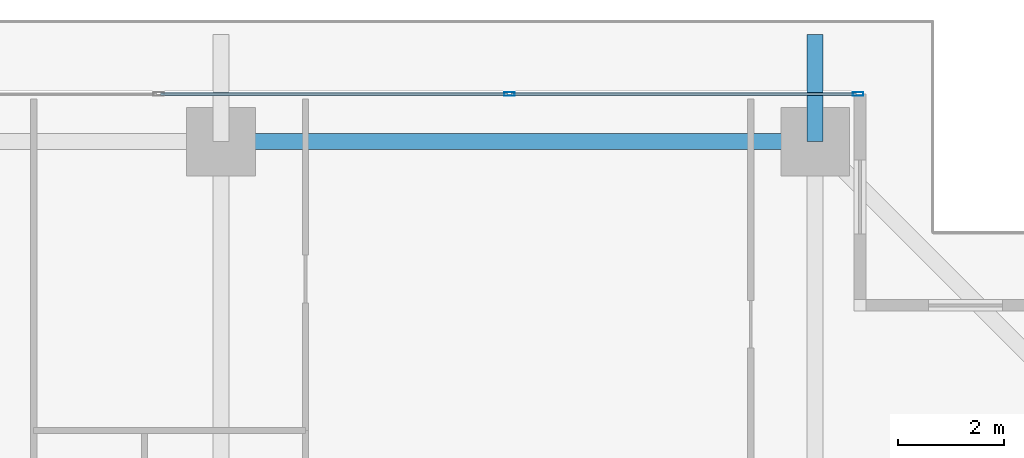
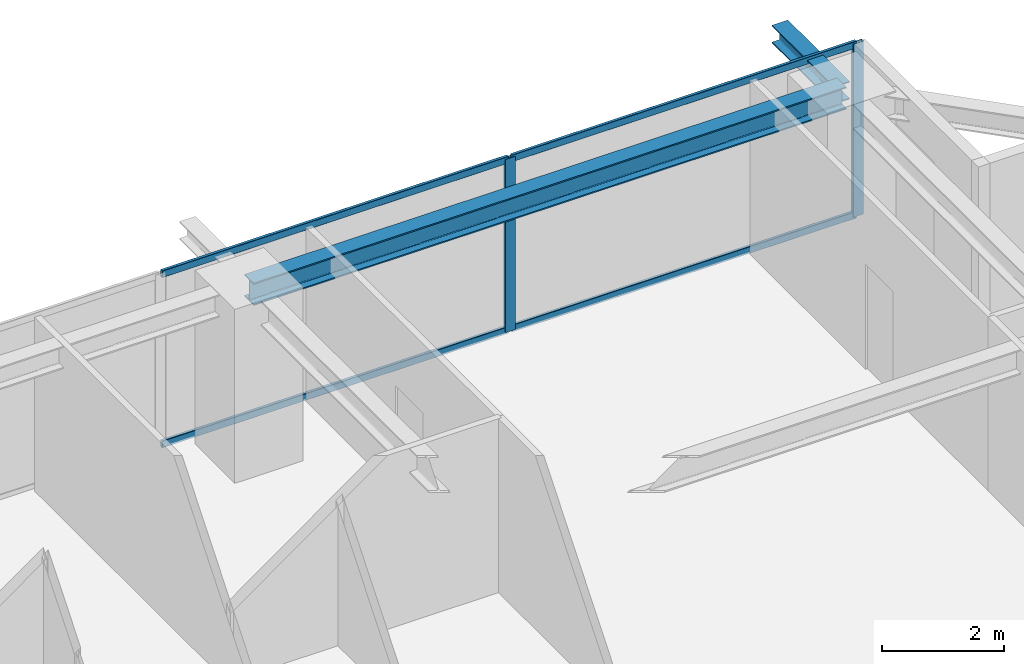
# One storey, part 22 of 34: 6 members, 2 beams, 1 element without a shape of its own.
"""IFC4 building model written with IfcOpenShell, lengths in metres."""

from ifc_helpers import new_model, si_unit, direction, frame, origin, origin_2d, place, context, subcontext, project, spatial, hollow_rectangle, i_section, extrude, source, transform, mapped, material, layer, layer_set, material_profile, profile_set, type_object, element, aggregate, save


model = new_model("IFC4")

# Units and contexts
model_context = context("Model", 3, precision=1e-05, world=origin(), true_north=direction((0.0, 1.0)))
body_context = subcontext(model_context, "Body", "Model", "MODEL_VIEW")
ifc_project = project(units=[si_unit("LENGTHUNIT", "METRE"), si_unit("AREAUNIT", "SQUARE_METRE"), si_unit("VOLUMEUNIT", "CUBIC_METRE"), si_unit("PLANEANGLEUNIT", "RADIAN"), si_unit("MASSUNIT", "GRAM", prefix="KILO")], contexts=[model_context])

# Site, building, storey
site_placement = place(None, origin())
site = spatial("IfcSite", under=ifc_project, at=site_placement, CompositionType="ELEMENT")
building_placement = place(site_placement, origin())
building = spatial("IfcBuilding", under=site, at=building_placement, Name="Serunith Strait Residences", CompositionType="ELEMENT")
storey_placement = place(building_placement, frame((0.0, 0.0, 142.64990234375)))
storey = spatial("IfcBuildingStorey", under=building, at=storey_placement, Name="L35", CompositionType="ELEMENT", Elevation=142.64990234375)

# Beams
ifc_material_1 = material(Name="Steel S355J2", Category="steel")
ifc_material_profile_1 = material_profile(ifc_material_1, i_section(OverallWidth=0.300048828125, OverallDepth=0.449951171875, WebThickness=0.013916015625, FlangeThickness=0.02587890625, FilletRadius=0.027099609375, at=origin_2d()), Name="HEB 450")
ifc_profile_set_1 = profile_set([ifc_material_profile_1], Name="Steel S355J2")
beam_type_1 = type_object("IfcBeamType", Name="BM-HEB450", PredefinedType="BEAM", material=ifc_profile_set_1)
shared_shape_1 = source(origin(), body_context, "Body", "SweptSolid", [
    extrude(i_section(OverallWidth=0.300048828125, OverallDepth=0.449951171875, WebThickness=0.013916015625, FlangeThickness=0.02587890625, FilletRadius=0.027099609375, at=origin_2d()), origin(), (0.0, 0.0, 1.0), 11.25),
])
beam_1_placement = place(storey_placement, frame((48.14990234375, 48.10009765625, 3.26220703125), z_axis=(-1.0, 0.0, 0.0), x_axis=(0.0, -1.0, 0.0)))
element("IfcBeam", 1, at=beam_1_placement, inside=storey, type_object=beam_type_1, Name="L35 Perimeter Ring Beam 09", PredefinedType="BEAM", context=body_context, shape_type="MappedRepresentation", body=[
    mapped(shared_shape_1, transform((0.0, 0.0, 0.0), scale=1.0)),
])
ifc_material_profile_2 = material_profile(ifc_material_1, i_section(OverallWidth=0.300048828125, OverallDepth=0.360107421875, WebThickness=0.012451171875, FlangeThickness=0.0224609375, FilletRadius=0.027099609375, at=origin_2d()), Name="HEB 360")
ifc_profile_set_2 = profile_set([ifc_material_profile_2], Name="Steel S355J2")
beam_type_2 = type_object("IfcBeamType", Name="BM-HEB360", PredefinedType="BEAM", material=ifc_profile_set_2)
shared_shape_2 = source(origin(), body_context, "Body", "SweptSolid", [
    extrude(i_section(OverallWidth=0.300048828125, OverallDepth=0.360107421875, WebThickness=0.012451171875, FlangeThickness=0.0224609375, FilletRadius=0.027099609375, at=origin_2d()), origin(), (0.0, 0.0, 1.0), 2.02978515625),
])
beam_2_placement = place(storey_placement, frame((48.14990234375, 48.10009765625, 3.277099609375), z_axis=(0.0, 1.0, 0.0), x_axis=(-1.0, 0.0, 0.0)))
element("IfcBeam", 2, at=beam_2_placement, inside=storey, type_object=beam_type_2, Name="L36 Cantilevered Balcony Rib TC-N4", PredefinedType="BEAM", context=body_context, shape_type="MappedRepresentation", body=[
    mapped(shared_shape_2, transform((0.0, 0.0, 0.0), scale=1.0)),
])

# Curtain wall, members
ifc_material_2 = material(Name="Pale-Champagne Anodised Aluminium", Category="aluminium")
ifc_layer = layer(ifc_material_2, 0.199951171875, Name="Pale-Champagne Anodised Aluminium")
ifc_layer_set = layer_set([ifc_layer], Name="Pale-Champagne Anodised Aluminium")
curtain_wall_type = type_object("IfcCurtainWallType", Name="CW-SYS2", PredefinedType="NOTDEFINED", material=ifc_layer_set)
curtain_wall_placement = place(storey_placement, origin())
curtain_wall = element("IfcCurtainWall", 3, at=curtain_wall_placement, inside=storey, type_object=curtain_wall_type, Name="L35 N Unitised Fritted Curtain Wall", PredefinedType="NOTDEFINED")
ifc_material_profile_3 = material_profile(ifc_material_2, hollow_rectangle(XDim=0.070068359375, YDim=0.199951171875, WallThickness=0.00390625, InnerFilletRadius=0.006103515625, OuterFilletRadius=0.010009765625, at=origin_2d()), Name="ALU 200x70x4")
ifc_profile_set_3 = profile_set([ifc_material_profile_3], Name="Pale-Champagne Anodised Aluminium")
member_type_1 = type_object("IfcMemberType", Name="CW-SYS2-MULL", PredefinedType="MULLION", material=ifc_profile_set_3)
shared_shape_3 = source(origin(), body_context, "Body", "SweptSolid", [
    extrude(hollow_rectangle(XDim=0.070068359375, YDim=0.199951171875, WallThickness=0.00390625, InnerFilletRadius=0.006103515625, OuterFilletRadius=0.010009765625, at=origin_2d()), origin(), (0.0, 0.0, 1.0), 3.47509765625),
])
member_1_placement = place(storey_placement, frame((48.965087890625, 49.0, 0.0), z_axis=(0.0, 0.0, 1.0), x_axis=(0.0, -1.0, 0.0)))
member_1 = element("IfcMember", 4, at=member_1_placement, type_object=member_type_1, Name="CW-2 mullion 1", PredefinedType="MULLION", context=body_context, shape_type="MappedRepresentation", body=[
    mapped(shared_shape_3, transform((0.0, 0.0, 0.0), scale=1.0)),
])
member_2_placement = place(storey_placement, frame((42.360107421875, 49.0, 0.0), z_axis=(0.0, 0.0, 1.0), x_axis=(0.0, -1.0, 0.0)))
member_2 = element("IfcMember", 5, at=member_2_placement, type_object=member_type_1, Name="CW-2 mullion 2", PredefinedType="MULLION", context=body_context, shape_type="MappedRepresentation", body=[
    mapped(shared_shape_3, transform((0.0, 0.0, 0.0), scale=1.0)),
])
ifc_material_profile_4 = material_profile(ifc_material_2, hollow_rectangle(XDim=0.06005859375, YDim=0.139892578125, WallThickness=0.00341796875, InnerFilletRadius=0.00537109375, OuterFilletRadius=0.0087890625, at=origin_2d()), Name="ALU 140x60x3.5")
ifc_profile_set_4 = profile_set([ifc_material_profile_4], Name="Pale-Champagne Anodised Aluminium")
member_type_2 = type_object("IfcMemberType", Name="CW-SYS2-TRAN", PredefinedType="USERDEFINED", material=ifc_profile_set_4)
shared_shape_4 = source(origin(), body_context, "Body", "SweptSolid", [
    extrude(hollow_rectangle(XDim=0.06005859375, YDim=0.139892578125, WallThickness=0.00341796875, InnerFilletRadius=0.00537109375, OuterFilletRadius=0.0087890625, at=origin_2d()), origin(), (0.0, 0.0, 1.0), 6.534912109375),
])
member_3_placement = place(storey_placement, frame((48.929931640625, 49.0, 0.030029296875), z_axis=(-1.0, 0.0, 0.0), x_axis=(0.0, -1.0, 0.0)))
member_3 = element("IfcMember", 6, at=member_3_placement, type_object=member_type_2, Name="CW-2 transom 1.1", ObjectType="TRANSOM", PredefinedType="USERDEFINED", context=body_context, shape_type="MappedRepresentation", body=[
    mapped(shared_shape_4, transform((0.0, 0.0, 0.0), scale=1.0)),
])
member_4_placement = place(storey_placement, frame((48.929931640625, 49.0, 3.445068359375), z_axis=(-1.0, 0.0, 0.0), x_axis=(0.0, -1.0, 0.0)))
member_4 = element("IfcMember", 7, at=member_4_placement, type_object=member_type_2, Name="CW-2 transom 1.2", ObjectType="TRANSOM", PredefinedType="USERDEFINED", context=body_context, shape_type="MappedRepresentation", body=[
    mapped(shared_shape_4, transform((0.0, 0.0, 0.0), scale=1.0)),
])
shared_shape_5 = source(origin(), body_context, "Body", "SweptSolid", [
    extrude(hollow_rectangle(XDim=0.06005859375, YDim=0.139892578125, WallThickness=0.00341796875, InnerFilletRadius=0.00537109375, OuterFilletRadius=0.0087890625, at=origin_2d()), origin(), (0.0, 0.0, 1.0), 6.570068359375),
])
member_5_placement = place(storey_placement, frame((42.324951171875, 49.0, 0.030029296875), z_axis=(-1.0, 0.0, 0.0), x_axis=(0.0, -1.0, 0.0)))
member_5 = element("IfcMember", 8, at=member_5_placement, type_object=member_type_2, Name="CW-2 transom 2.1", ObjectType="TRANSOM", PredefinedType="USERDEFINED", context=body_context, shape_type="MappedRepresentation", body=[
    mapped(shared_shape_5, transform((0.0, 0.0, 0.0), scale=1.0)),
])
member_6_placement = place(storey_placement, frame((42.324951171875, 49.0, 3.445068359375), z_axis=(-1.0, 0.0, 0.0), x_axis=(0.0, -1.0, 0.0)))
member_6 = element("IfcMember", 9, at=member_6_placement, type_object=member_type_2, Name="CW-2 transom 2.2", ObjectType="TRANSOM", PredefinedType="USERDEFINED", context=body_context, shape_type="MappedRepresentation", body=[
    mapped(shared_shape_5, transform((0.0, 0.0, 0.0), scale=1.0)),
])
aggregate(curtain_wall, [member_1, member_2, member_3, member_4, member_5, member_6])

save(model, "model.ifc")
